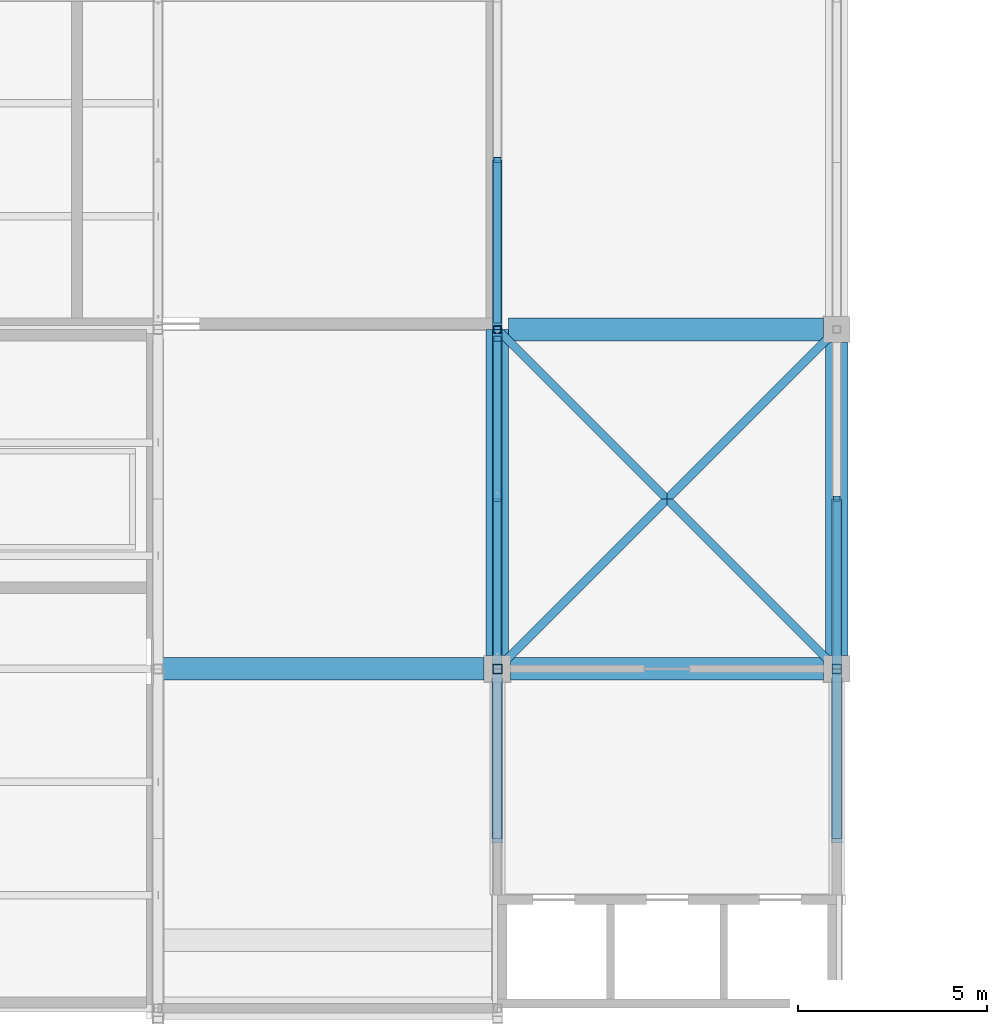
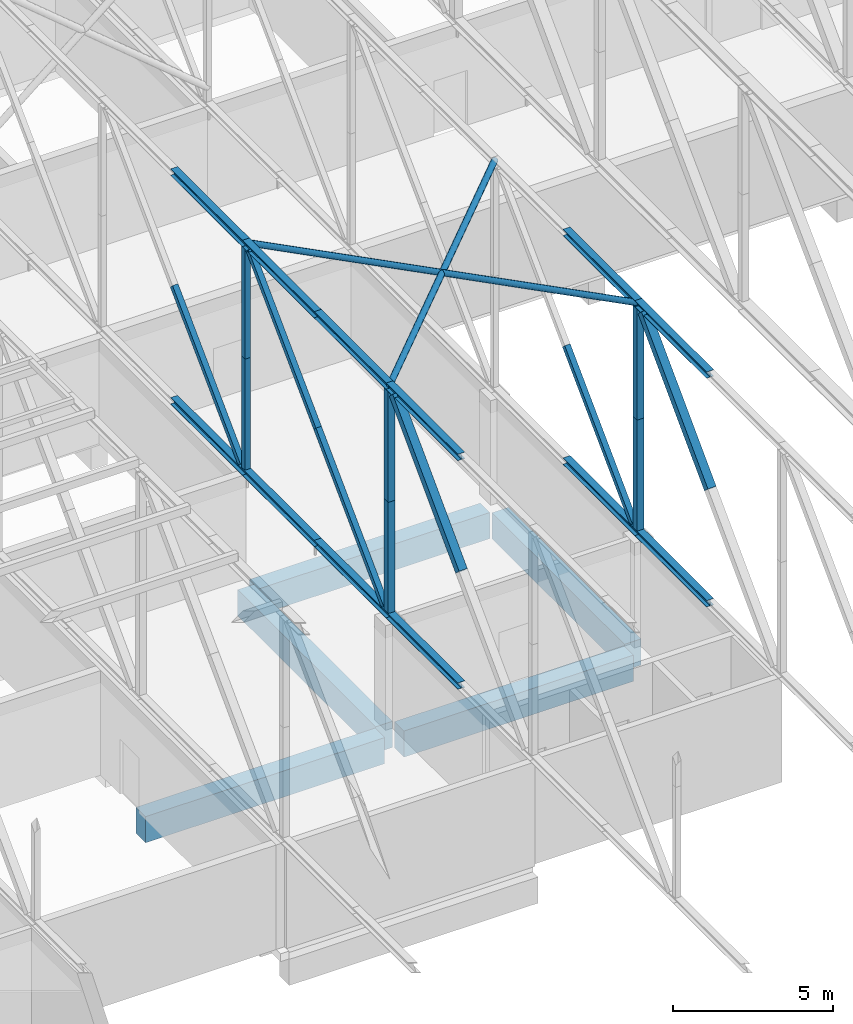
# One storey, part 65 of 646: 28 members, 5 beams.
"""IFC4 building model written with IfcOpenShell, lengths in metres."""

from ifc_helpers import new_model, si_unit, direction, frame, origin, origin_2d, place, context, subcontext, project, spatial, rectangle, hollow_rectangle, hollow_circle, i_section, extrude, material, material_profile, profile_set, type_object, element, save


model = new_model("IFC4")

# Units and contexts
model_context = context("Model", 3, precision=1e-05, world=origin(), true_north=direction((0.0, 1.0)))
body_context = subcontext(model_context, "Body", "Model", "MODEL_VIEW")
ifc_project = project(units=[si_unit("LENGTHUNIT", "METRE"), si_unit("AREAUNIT", "SQUARE_METRE"), si_unit("VOLUMEUNIT", "CUBIC_METRE"), si_unit("PLANEANGLEUNIT", "RADIAN"), si_unit("MASSUNIT", "GRAM", prefix="KILO")], contexts=[model_context])

# Site, building, storey
site_placement = place(None, origin())
site = spatial("IfcSite", under=ifc_project, at=site_placement, CompositionType="ELEMENT")
building_placement = place(site_placement, origin())
building = spatial("IfcBuilding", under=site, at=building_placement, Name="Silverbay Arena", CompositionType="ELEMENT")
storey_placement = place(building_placement, frame((0.0, 0.0, 33.5)))
storey = spatial("IfcBuildingStorey", under=building, at=storey_placement, Name="L05", CompositionType="ELEMENT", Elevation=33.5)

# Members
ifc_material_1 = material(Name="Steel S355", Category="steel")
ifc_material_profile_1 = material_profile(ifc_material_1, i_section(OverallWidth=0.254638671875, OverallDepth=0.254150390625, WebThickness=0.008544921875, FlangeThickness=0.01416015625, at=origin_2d()), Name="UC 254x254x73")
ifc_profile_set_1 = profile_set([ifc_material_profile_1], Name="Steel S355")
member_type_1 = type_object("IfcMemberType", Name="Medium-span bottom chord UC 254x254x73", PredefinedType="CHORD", material=ifc_profile_set_1)
for number, where, z_axis, x_axis, name in (
    (1, (90.0, 103.5, 4.126953125), (0.0, 1.0, 0.0), (-1.0, 0.0, 0.0), "ROOF TRUSS 11 bottom chord 11b"),
    (2, (90.0, 108.0, 4.126953125), (0.0, 1.0, 0.0), (-1.0, 0.0, 0.0), "ROOF TRUSS 11 bottom chord 12a"),
    (3, (90.0, 112.5, 4.126953125), (0.0, 1.0, 0.0), (-1.0, 0.0, 0.0), "ROOF TRUSS 11 bottom chord 12b"),
    (4, (90.0, 117.0, 4.126953125), (0.0, 1.0, 0.0), (-1.0, 0.0, 0.0), "ROOF TRUSS 11 bottom chord 13a"),
    (5, (99.0, 103.5, 4.126953125), (0.0, 1.0, 0.0), (-1.0, 0.0, 0.0), "ROOF TRUSS 12 bottom chord 11b"),
    (6, (99.0, 108.0, 4.126953125), (0.0, 1.0, 0.0), (-1.0, 0.0, 0.0), "ROOF TRUSS 12 bottom chord 12a"),
):
    element("IfcMember", number, at=place(storey_placement, frame(where, z_axis=z_axis, x_axis=x_axis)), inside=storey, type_object=member_type_1, Name=name, PredefinedType="CHORD", context=body_context, shape_type="SweptSolid", body=[
        extrude(i_section(OverallWidth=0.254638671875, OverallDepth=0.254150390625, WebThickness=0.008544921875, FlangeThickness=0.01416015625, at=origin_2d()), origin(), (0.0, 0.0, 1.0), 4.5),
    ])
ifc_material_2 = material(Name="Steel S355", Category="steel")
ifc_material_profile_2 = material_profile(ifc_material_2, i_section(OverallWidth=0.254638671875, OverallDepth=0.254150390625, WebThickness=0.008544921875, FlangeThickness=0.01416015625, at=origin_2d()), Name="UC 254x254x73")
ifc_profile_set_2 = profile_set([ifc_material_profile_2], Name="Steel S355")
member_type_2 = type_object("IfcMemberType", Name="Medium-span top chord UC 254x254x73", PredefinedType="CHORD", material=ifc_profile_set_2)
for number, where, z_axis, x_axis, name in (
    (7, (90.0, 103.5, 12.873046875), (0.0, 1.0, 0.0), (-1.0, 0.0, 0.0), "ROOF TRUSS 11 top chord 11b"),
    (8, (90.0, 108.0, 12.873046875), (0.0, 1.0, 0.0), (-1.0, 0.0, 0.0), "ROOF TRUSS 11 top chord 12a"),
    (9, (90.0, 112.5, 12.873046875), (0.0, 1.0, 0.0), (-1.0, 0.0, 0.0), "ROOF TRUSS 11 top chord 12b"),
    (10, (90.0, 117.0, 12.873046875), (0.0, 1.0, 0.0), (-1.0, 0.0, 0.0), "ROOF TRUSS 11 top chord 13a"),
    (11, (99.0, 103.5, 12.873046875), (0.0, 1.0, 0.0), (-1.0, 0.0, 0.0), "ROOF TRUSS 12 top chord 11b"),
    (12, (99.0, 108.0, 12.873046875), (0.0, 1.0, 0.0), (-1.0, 0.0, 0.0), "ROOF TRUSS 12 top chord 12a"),
):
    element("IfcMember", number, at=place(storey_placement, frame(where, z_axis=z_axis, x_axis=x_axis)), inside=storey, type_object=member_type_2, Name=name, PredefinedType="CHORD", context=body_context, shape_type="SweptSolid", body=[
        extrude(i_section(OverallWidth=0.254638671875, OverallDepth=0.254150390625, WebThickness=0.008544921875, FlangeThickness=0.01416015625, at=origin_2d()), origin(), (0.0, 0.0, 1.0), 4.5),
    ])
ifc_material_3 = material(Name="Steel S355", Category="steel")
ifc_material_profile_3 = material_profile(ifc_material_3, hollow_rectangle(XDim=0.199951171875, YDim=0.199951171875, WallThickness=0.008056640625, at=origin_2d()), Name="SHS 200x200x8")
ifc_profile_set_3 = profile_set([ifc_material_profile_3], Name="Steel S355")
member_type_3 = type_object("IfcMemberType", Name="Medium-span truss diagonal SHS 200x200x8", PredefinedType="BRACE", material=ifc_profile_set_3)
for number, where, z_axis, x_axis, name in (
    (13, (90.0, 116.75439453125, 12.745849609375), (0.0, -0.706781281828, -0.707432130778), (1.0, 0.0, 0.0), "ROOF TRUSS 11 diagonal 12a"),
    (14, (90.0, 112.512451171875, 8.5), (0.0, -0.7067609232, -0.707452470091), (1.0, 0.0, 0.0), "ROOF TRUSS 11 diagonal 12b"),
):
    element("IfcMember", number, at=place(storey_placement, frame(where, z_axis=z_axis, x_axis=x_axis)), inside=storey, type_object=member_type_3, Name=name, PredefinedType="BRACE", context=body_context, shape_type="SweptSolid", body=[
        extrude(hollow_rectangle(XDim=0.199951171875, YDim=0.199951171875, WallThickness=0.008056640625, at=origin_2d()), origin(), (0.0, 0.0, 1.0), 6.001708984375),
    ])
member_1_placement = place(storey_placement, frame((90.0, 121.5, 8.5), z_axis=(0.0, -0.70781724692, -0.706395600894), x_axis=(1.0, 0.0, 0.0)))
element("IfcMember", 15, at=member_1_placement, inside=storey, type_object=member_type_3, Name="ROOF TRUSS 11 diagonal 13b", PredefinedType="BRACE", context=body_context, shape_type="SweptSolid", body=[
    extrude(hollow_rectangle(XDim=0.199951171875, YDim=0.199951171875, WallThickness=0.008056640625, at=origin_2d()), origin(), (0.0, 0.0, 1.0), 6.010498046875),
])
member_2_placement = place(storey_placement, frame((99.0, 112.512451171875, 8.5), z_axis=(0.0, -0.7067609232, -0.707452470091), x_axis=(1.0, 0.0, 0.0)))
element("IfcMember", 16, at=member_2_placement, inside=storey, type_object=member_type_3, Name="ROOF TRUSS 12 diagonal 12b", PredefinedType="BRACE", context=body_context, shape_type="SweptSolid", body=[
    extrude(hollow_rectangle(XDim=0.199951171875, YDim=0.199951171875, WallThickness=0.008056640625, at=origin_2d()), origin(), (0.0, 0.0, 1.0), 6.001708984375),
])
ifc_material_4 = material(Name="Steel S355", Category="steel")
ifc_material_profile_4 = material_profile(ifc_material_4, hollow_rectangle(XDim=0.300048828125, YDim=0.300048828125, WallThickness=0.012451171875, at=origin_2d()), Name="SHS 300x300x12.5")
ifc_profile_set_4 = profile_set([ifc_material_profile_4], Name="Steel S355")
member_type_4 = type_object("IfcMemberType", Name="Medium-span truss diagonal SHS 300x300x12.5", PredefinedType="BRACE", material=ifc_profile_set_4)
for number, where, z_axis, x_axis, name in (
    (17, (90.0, 107.656494140625, 12.745849609375), (0.0, -0.700196997117, -0.713949693766), (1.0, 0.0, 0.0), "ROOF TRUSS 11 diagonal 11a"),
    (18, (99.0, 107.656494140625, 12.745849609375), (0.0, -0.700196997117, -0.713949693766), (1.0, 0.0, 0.0), "ROOF TRUSS 12 diagonal 11a"),
):
    element("IfcMember", number, at=place(storey_placement, frame(where, z_axis=z_axis, x_axis=x_axis)), inside=storey, type_object=member_type_4, Name=name, PredefinedType="BRACE", context=body_context, shape_type="SweptSolid", body=[
        extrude(hollow_rectangle(XDim=0.300048828125, YDim=0.300048828125, WallThickness=0.012451171875, at=origin_2d()), origin(), (0.0, 0.0, 1.0), 5.947021484375),
    ])
ifc_material_5 = material(Name="Steel S355", Category="steel")
ifc_material_profile_5 = material_profile(ifc_material_5, hollow_rectangle(XDim=0.199951171875, YDim=0.199951171875, WallThickness=0.008056640625, at=origin_2d()), Name="SHS 200x200x8")
ifc_profile_set_5 = profile_set([ifc_material_profile_5], Name="Steel S355")
member_type_5 = type_object("IfcMemberType", Name="Medium-span truss vertical SHS 200x200x8", PredefinedType="STRUT", material=ifc_profile_set_5)
for number, where, z_axis, x_axis, name in (
    (19, (90.0, 117.0, 4.254150390625), (0.0, 0.0, 1.0), (1.0, 0.0, 0.0), "ROOF TRUSS 11 vertical 13a"),
    (20, (90.0, 117.0, 8.5), (0.0, 0.0, 1.0), (1.0, 0.0, 0.0), "ROOF TRUSS 11 vertical 13b"),
):
    element("IfcMember", number, at=place(storey_placement, frame(where, z_axis=z_axis, x_axis=x_axis)), inside=storey, type_object=member_type_5, Name=name, PredefinedType="STRUT", context=body_context, shape_type="SweptSolid", body=[
        extrude(hollow_rectangle(XDim=0.199951171875, YDim=0.199951171875, WallThickness=0.008056640625, at=origin_2d()), origin(), (0.0, 0.0, 1.0), 4.245849609375),
    ])
ifc_material_6 = material(Name="Steel S355", Category="steel")
ifc_material_profile_6 = material_profile(ifc_material_6, hollow_rectangle(XDim=0.25, YDim=0.25, WallThickness=0.010009765625, at=origin_2d()), Name="SHS 250x250x10")
ifc_profile_set_6 = profile_set([ifc_material_profile_6], Name="Steel S355")
member_type_6 = type_object("IfcMemberType", Name="Medium-span truss vertical SHS 250x250x10", PredefinedType="STRUT", material=ifc_profile_set_6)
for number, where, z_axis, x_axis, name in (
    (21, (90.0, 108.0, 4.254150390625), (0.0, 0.0, 1.0), (1.0, 0.0, 0.0), "ROOF TRUSS 11 vertical 12a"),
    (22, (90.0, 108.0, 8.5), (0.0, 0.0, 1.0), (1.0, 0.0, 0.0), "ROOF TRUSS 11 vertical 12b"),
    (23, (99.0, 108.0, 4.254150390625), (0.0, 0.0, 1.0), (1.0, 0.0, 0.0), "ROOF TRUSS 12 vertical 12a"),
    (24, (99.0, 108.0, 8.5), (0.0, 0.0, 1.0), (1.0, 0.0, 0.0), "ROOF TRUSS 12 vertical 12b"),
):
    element("IfcMember", number, at=place(storey_placement, frame(where, z_axis=z_axis, x_axis=x_axis)), inside=storey, type_object=member_type_6, Name=name, PredefinedType="STRUT", context=body_context, shape_type="SweptSolid", body=[
        extrude(hollow_rectangle(XDim=0.25, YDim=0.25, WallThickness=0.010009765625, at=origin_2d()), origin(), (0.0, 0.0, 1.0), 4.245849609375),
    ])
ifc_material_7 = material(Name="Steel S355", Category="steel")
ifc_material_profile_7 = material_profile(ifc_material_7, hollow_circle(Radius=0.109619140625, WallThickness=0.00634765625, at=origin_2d()), Name="CHS 219.1x6.3")
ifc_profile_set_7 = profile_set([ifc_material_profile_7], Name="Steel S355")
member_type_7 = type_object("IfcMemberType", Name="Plan bracing CHS 219.1x6.3", PredefinedType="BRACE", material=ifc_profile_set_7)
for number, where, z_axis, x_axis, name in (
    (25, (90.0, 108.0, 12.873046875), (0.707106781187, 0.707106781187, 0.0), (-0.707106781187, 0.707106781187, 0.0), "ROOF BRACING top 11-12 panel 12 Aa"),
    (26, (94.5, 112.5, 12.873046875), (0.707106781187, 0.707106781187, 0.0), (-0.707106781187, 0.707106781187, 0.0), "ROOF BRACING top 11-12 panel 12 Ab"),
    (27, (90.0, 117.0, 12.873046875), (0.707106781187, -0.707106781187, 0.0), (0.707106781187, 0.707106781187, 0.0), "ROOF BRACING top 11-12 panel 12 Ba"),
    (28, (94.5, 112.5, 12.873046875), (0.707106781187, -0.707106781187, 0.0), (0.707106781187, 0.707106781187, 0.0), "ROOF BRACING top 11-12 panel 12 Bb"),
):
    element("IfcMember", number, at=place(storey_placement, frame(where, z_axis=z_axis, x_axis=x_axis)), inside=storey, type_object=member_type_7, Name=name, PredefinedType="BRACE", context=body_context, shape_type="SweptSolid", body=[
        extrude(hollow_circle(Radius=0.109619140625, WallThickness=0.00634765625, at=origin_2d()), origin(), (0.0, 0.0, 1.0), 6.364013671875),
    ])

# Beams
ifc_material_8 = material(Name="Concrete Grade C45", Category="concrete")
ifc_material_profile_8 = material_profile(ifc_material_8, rectangle(XDim=0.60009765625, YDim=1.0, at=origin_2d()), Name="RC 600x1000")
ifc_profile_set_8 = profile_set([ifc_material_profile_8], Name="Concrete Grade C45")
beam_type = type_object("IfcBeamType", Name="RC beam 600x1000", PredefinedType="BEAM", material=ifc_profile_set_8)
beam_1_placement = place(storey_placement, frame((81.0, 108.0, -0.800048828125), z_axis=(1.0, 0.0, 0.0), x_axis=(0.0, 1.0, 0.0)))
element("IfcBeam", 29, at=beam_1_placement, inside=storey, type_object=beam_type, Name="Floor beam L05 048", PredefinedType="BEAM", context=body_context, shape_type="SweptSolid", body=[
    extrude(rectangle(XDim=0.60009765625, YDim=1.0, at=origin_2d()), origin(), (0.0, 0.0, 1.0), 8.64990234375),
])
beam_2_placement = place(storey_placement, frame((90.35009765625, 108.0, -0.800048828125), z_axis=(1.0, 0.0, 0.0), x_axis=(0.0, 1.0, 0.0)))
element("IfcBeam", 30, at=beam_2_placement, inside=storey, type_object=beam_type, Name="Floor beam L05 049", PredefinedType="BEAM", context=body_context, shape_type="SweptSolid", body=[
    extrude(rectangle(XDim=0.60009765625, YDim=1.0, at=origin_2d()), origin(), (0.0, 0.0, 1.0), 8.2998046875),
])
beam_3_placement = place(storey_placement, frame((90.300048828125, 117.0, -0.800048828125), z_axis=(1.0, 0.0, 0.0), x_axis=(0.0, 1.0, 0.0)))
element("IfcBeam", 31, at=beam_3_placement, inside=storey, type_object=beam_type, Name="Floor beam L05 054", PredefinedType="BEAM", context=body_context, shape_type="SweptSolid", body=[
    extrude(rectangle(XDim=0.60009765625, YDim=1.0, at=origin_2d()), origin(), (0.0, 0.0, 1.0), 8.349853515625),
])
beam_4_placement = place(storey_placement, frame((90.0, 108.35009765625, -0.800048828125), z_axis=(0.0, 1.0, 0.0), x_axis=(-1.0, 0.0, 0.0)))
element("IfcBeam", 32, at=beam_4_placement, inside=storey, type_object=beam_type, Name="Floor beam L05 093", PredefinedType="BEAM", context=body_context, shape_type="SweptSolid", body=[
    extrude(rectangle(XDim=0.60009765625, YDim=1.0, at=origin_2d()), origin(), (0.0, 0.0, 1.0), 8.64990234375),
])
beam_5_placement = place(storey_placement, frame((99.0, 108.35009765625, -0.800048828125), z_axis=(0.0, 1.0, 0.0), x_axis=(-1.0, 0.0, 0.0)))
element("IfcBeam", 33, at=beam_5_placement, inside=storey, type_object=beam_type, Name="Floor beam L05 102", PredefinedType="BEAM", context=body_context, shape_type="SweptSolid", body=[
    extrude(rectangle(XDim=0.60009765625, YDim=1.0, at=origin_2d()), origin(), (0.0, 0.0, 1.0), 8.2998046875),
])

save(model, "model.ifc")
